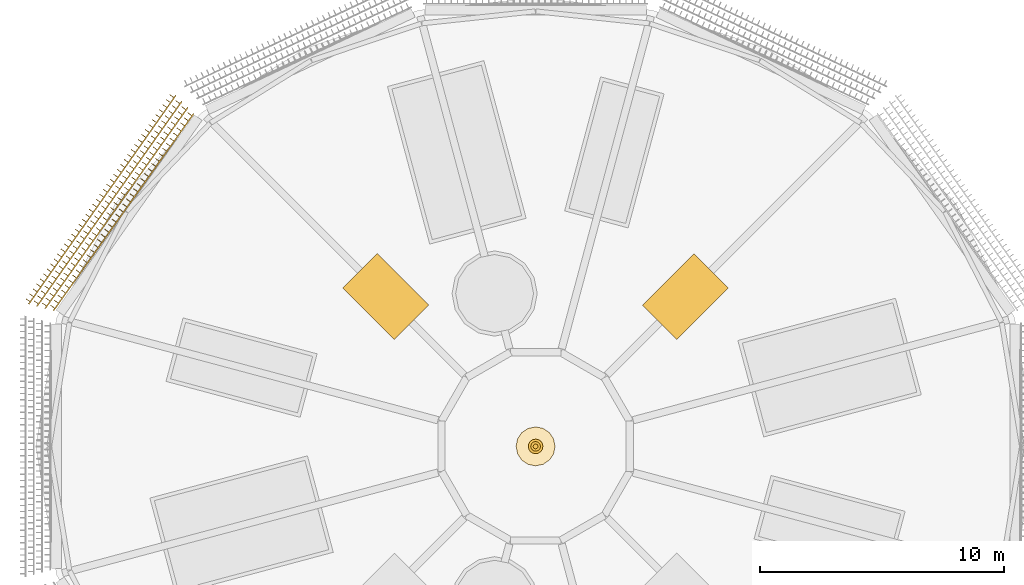
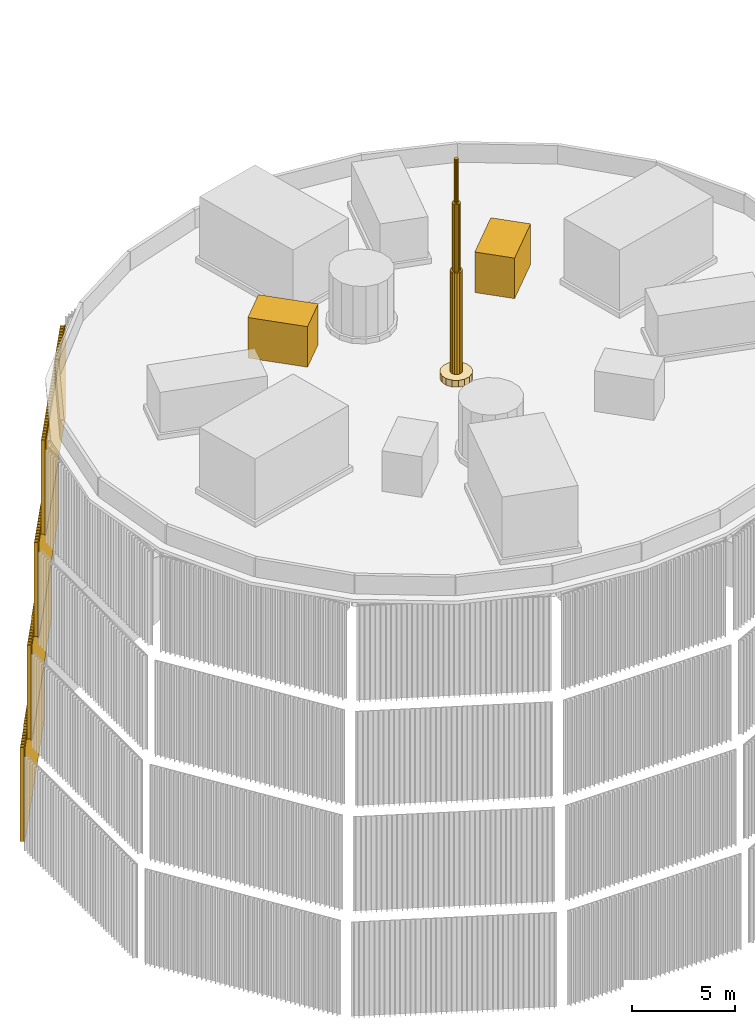
# One storey, part 7 of 24: 10 coverings.
"""IFC4 building model written with IfcOpenShell, lengths in metres."""

from ifc_helpers import new_model, si_unit, direction, frame, origin, place, context, subcontext, project, spatial, polyline, outline, extrude, material, type_object, element, save


model = new_model("IFC4")

# Units and contexts
model_context = context("Model", 3, precision=1e-05, world=origin(), true_north=direction((0.0, 1.0)))
body_context = subcontext(model_context, "Body", "Model", "MODEL_VIEW")
ifc_project = project(units=[si_unit("LENGTHUNIT", "METRE"), si_unit("AREAUNIT", "SQUARE_METRE"), si_unit("VOLUMEUNIT", "CUBIC_METRE"), si_unit("PLANEANGLEUNIT", "RADIAN"), si_unit("MASSUNIT", "GRAM", prefix="KILO")], contexts=[model_context])

# Site, building, storey
site_placement = place(None, origin())
site = spatial("IfcSite", under=ifc_project, at=site_placement, CompositionType="ELEMENT")
building_placement = place(site_placement, origin())
building = spatial("IfcBuilding", under=site, at=building_placement, Name="Rimbun Link Towers", CompositionType="ELEMENT")
storey_placement = place(building_placement, frame((0.0, 0.0, 294.89990234375)))
storey = spatial("IfcBuildingStorey", under=building, at=storey_placement, Name="Roof cap", CompositionType="ELEMENT", Elevation=294.89990234375)

# Coverings
ifc_material_1 = material(Name="Aluminium 6063-T6", Category="aluminium")
covering_type_1 = type_object("IfcCoveringType", Name="ROOF PLANT louvred enclosure 3000X2000X2400", PredefinedType="CLADDING", material=ifc_material_1)
covering_1_placement = place(storey_placement, frame((0.0, 0.0, 0.7001953125)))
element("IfcCovering", 1, at=covering_1_placement, inside=storey, type_object=covering_type_1, Name="ROOF PLANT louvred enclosure", PredefinedType="CLADDING", context=body_context, shape_type="SweptSolid", body=[
    extrude(outline(polyline([(-25.95068359375, 4.385009765625), (-23.829345703125, 6.50634765625), (-25.24365234375, 7.920654296875), (-27.364990234375, 5.79931640625), (-25.95068359375, 4.385009765625)])), origin(), (0.0, 0.0, 1.0), 2.39990234375),
])
covering_2_placement = place(storey_placement, frame((0.0, 0.0, 0.7001953125)))
element("IfcCovering", 2, at=covering_2_placement, inside=storey, type_object=covering_type_1, Name="ROOF PLANT louvred enclosure", PredefinedType="CLADDING", context=body_context, shape_type="SweptSolid", body=[
    extrude(outline(polyline([(-36.135009765625, 5.79931640625), (-38.25634765625, 7.920654296875), (-39.670654296875, 6.50634765625), (-37.54931640625, 4.385009765625), (-36.135009765625, 5.79931640625)])), origin(), (0.0, 0.0, 1.0), 2.39990234375),
])
ifc_material_2 = material(Name="Galvanised steel", Category="steel")
covering_type_2 = type_object("IfcCoveringType", Name="TELECOM MAST base ring 1600X400", PredefinedType="CLADDING", material=ifc_material_2)
covering_3_placement = place(storey_placement, frame((0.0, 0.0, 0.7001953125)))
element("IfcCovering", 3, at=covering_3_placement, inside=storey, type_object=covering_type_2, Name="TELECOM MAST base ring", PredefinedType="CLADDING", context=body_context, shape_type="SweptSolid", body=[
    extrude(outline(polyline([(-30.949951171875, 0.0), (-31.010986328125, 0.30615234375), (-31.184326171875, 0.565673828125), (-31.44384765625, 0.739013671875), (-31.75, 0.800048828125), (-32.05615234375, 0.739013671875), (-32.315673828125, 0.565673828125), (-32.489013671875, 0.30615234375), (-32.550048828125, 0.0), (-32.489013671875, -0.30615234375), (-32.315673828125, -0.565673828125), (-32.05615234375, -0.739013671875), (-31.75, -0.800048828125), (-31.44384765625, -0.739013671875), (-31.184326171875, -0.565673828125), (-31.010986328125, -0.30615234375), (-30.949951171875, 0.0)])), origin(), (0.0, 0.0, 1.0), 0.39990234375),
])
ifc_material_3 = material(Name="Galvanised steel", Category="steel")
covering_type_3 = type_object("IfcCoveringType", Name="TELECOM MAST tube 200X2600", PredefinedType="CLADDING", material=ifc_material_3)
covering_4_placement = place(storey_placement, frame((0.0, 0.0, 11.10009765625)))
element("IfcCovering", 4, at=covering_4_placement, inside=storey, type_object=covering_type_3, Name="TELECOM MAST tube", PredefinedType="CLADDING", context=body_context, shape_type="SweptSolid", body=[
    extrude(outline(polyline([(-31.64990234375, 0.0), (-31.65771484375, 0.038330078125), (-31.67919921875, 0.07080078125), (-31.711669921875, 0.09228515625), (-31.75, 0.10009765625), (-31.788330078125, 0.09228515625), (-31.82080078125, 0.07080078125), (-31.84228515625, 0.038330078125), (-31.85009765625, 0.0), (-31.84228515625, -0.038330078125), (-31.82080078125, -0.07080078125), (-31.788330078125, -0.09228515625), (-31.75, -0.10009765625), (-31.711669921875, -0.09228515625), (-31.67919921875, -0.07080078125), (-31.65771484375, -0.038330078125), (-31.64990234375, 0.0)])), origin(), (0.0, 0.0, 1.0), 2.60009765625),
])
ifc_material_4 = material(Name="Galvanised steel", Category="steel")
covering_type_4 = type_object("IfcCoveringType", Name="TELECOM MAST tube 400X4000", PredefinedType="CLADDING", material=ifc_material_4)
covering_5_placement = place(storey_placement, frame((0.0, 0.0, 7.10009765625)))
element("IfcCovering", 5, at=covering_5_placement, inside=storey, type_object=covering_type_4, Name="TELECOM MAST tube", PredefinedType="CLADDING", context=body_context, shape_type="SweptSolid", body=[
    extrude(outline(polyline([(-31.550048828125, 0.0), (-31.565185546875, 0.076416015625), (-31.608642578125, 0.141357421875), (-31.673583984375, 0.184814453125), (-31.75, 0.199951171875), (-31.826416015625, 0.184814453125), (-31.891357421875, 0.141357421875), (-31.934814453125, 0.076416015625), (-31.949951171875, 0.0), (-31.934814453125, -0.076416015625), (-31.891357421875, -0.141357421875), (-31.826416015625, -0.184814453125), (-31.75, -0.199951171875), (-31.673583984375, -0.184814453125), (-31.608642578125, -0.141357421875), (-31.565185546875, -0.076416015625), (-31.550048828125, 0.0)])), origin(), (0.0, 0.0, 1.0), 4.0),
])
ifc_material_5 = material(Name="Galvanised steel", Category="steel")
covering_type_5 = type_object("IfcCoveringType", Name="TELECOM MAST tube 600X6000", PredefinedType="CLADDING", material=ifc_material_5)
covering_6_placement = place(storey_placement, frame((0.0, 0.0, 1.10009765625)))
element("IfcCovering", 6, at=covering_6_placement, inside=storey, type_object=covering_type_5, Name="TELECOM MAST tube", PredefinedType="CLADDING", context=body_context, shape_type="SweptSolid", body=[
    extrude(outline(polyline([(-31.449951171875, 0.0), (-31.472900390625, 0.11474609375), (-31.537841796875, 0.212158203125), (-31.63525390625, 0.277099609375), (-31.75, 0.300048828125), (-31.86474609375, 0.277099609375), (-31.962158203125, 0.212158203125), (-32.027099609375, 0.11474609375), (-32.050048828125, 0.0), (-32.027099609375, -0.11474609375), (-31.962158203125, -0.212158203125), (-31.86474609375, -0.277099609375), (-31.75, -0.300048828125), (-31.63525390625, -0.277099609375), (-31.537841796875, -0.212158203125), (-31.472900390625, -0.11474609375), (-31.449951171875, 0.0)])), origin(), (0.0, 0.0, 1.0), 6.0),
])
ifc_material_6 = material(Name="Terracotta", Category="masonry")
covering_type_6 = type_object("IfcCoveringType", Name="TERRACOTTA CLADDING screen fins", PredefinedType="CLADDING", material=ifc_material_6)
covering_7_placement = place(storey_placement, frame((0.0, 0.0, -23.087890625)))
element("IfcCovering", 7, at=covering_7_placement, inside=storey, type_object=covering_type_6, Name="TERRACOTTA CLADDING screen", PredefinedType="CLADDING", context=body_context, shape_type="SweptSolid", body=[
    extrude(outline(polyline([(-46.542724609375, 14.43359375), (-46.606201171875, 14.34375), (-46.769775390625, 14.458984375), (-46.787109375, 14.434326171875), (-46.62353515625, 14.319091796875), (-46.750244140625, 14.139404296875), (-46.913818359375, 14.25439453125), (-46.93115234375, 14.22998046875), (-46.767578125, 14.11474609375), (-46.894287109375, 13.934814453125), (-47.057861328125, 14.050048828125), (-47.0751953125, 14.025390625), (-46.91162109375, 13.910400390625), (-47.038330078125, 13.73046875), (-47.201904296875, 13.845703125), (-47.21923828125, 13.821044921875), (-47.0556640625, 13.705810546875), (-47.1826171875, 13.52587890625), (-47.345947265625, 13.64111328125), (-47.36328125, 13.61669921875), (-47.19970703125, 13.50146484375), (-47.32666015625, 13.321533203125), (-47.489990234375, 13.436767578125), (-47.50732421875, 13.412353515625), (-47.34375, 13.297119140625), (-47.470703125, 13.1171875), (-47.634033203125, 13.232421875), (-47.6513671875, 13.2080078125), (-47.48779296875, 13.092529296875), (-47.61474609375, 12.91259765625), (-47.7783203125, 13.028076171875), (-47.79541015625, 13.00341796875), (-47.632080078125, 12.88818359375), (-47.7587890625, 12.708251953125), (-47.922119140625, 12.823486328125), (-47.939453125, 12.799072265625), (-47.77587890625, 12.683837890625), (-47.90283203125, 12.50390625), (-48.06640625, 12.619140625), (-48.08349609375, 12.594482421875), (-47.920166015625, 12.4794921875), (-48.046875, 12.299560546875), (-48.21044921875, 12.414794921875), (-48.227783203125, 12.39013671875), (-48.064208984375, 12.27490234375), (-48.19091796875, 12.09521484375), (-48.3544921875, 12.210205078125), (-48.37158203125, 12.185791015625), (-48.208251953125, 12.070556640625), (-48.3349609375, 11.890625), (-48.49853515625, 12.005859375), (-48.515869140625, 11.981201171875), (-48.352294921875, 11.8662109375), (-48.47900390625, 11.686279296875), (-48.642578125, 11.801513671875), (-48.659912109375, 11.77685546875), (-48.496337890625, 11.66162109375), (-48.623291015625, 11.481689453125), (-48.78662109375, 11.596923828125), (-48.803955078125, 11.572509765625), (-48.640380859375, 11.457275390625), (-48.76708984375, 11.27734375), (-48.9306640625, 11.392578125), (-48.947998046875, 11.3681640625), (-48.784423828125, 11.2529296875), (-48.911376953125, 11.072998046875), (-49.07470703125, 11.188232421875), (-49.092041015625, 11.163818359375), (-48.9287109375, 11.048583984375), (-49.055419921875, 10.86865234375), (-49.218994140625, 10.98388671875), (-49.236083984375, 10.959228515625), (-49.07275390625, 10.843994140625), (-49.199462890625, 10.6640625), (-49.36279296875, 10.779296875), (-49.380126953125, 10.7548828125), (-49.216796875, 10.6396484375), (-49.343505859375, 10.459716796875), (-49.507080078125, 10.574951171875), (-49.5244140625, 10.55029296875), (-49.36083984375, 10.435302734375), (-49.487548828125, 10.25537109375), (-49.651123046875, 10.37060546875), (-49.668212890625, 10.345947265625), (-49.5048828125, 10.230712890625), (-49.631591796875, 10.05078125), (-49.795166015625, 10.166015625), (-49.8125, 10.1416015625), (-49.64892578125, 10.0263671875), (-49.775634765625, 9.846435546875), (-49.939208984375, 9.961669921875), (-49.95654296875, 9.937255859375), (-49.79296875, 9.822021484375), (-49.919921875, 9.64208984375), (-50.083251953125, 9.75732421875), (-50.1005859375, 9.732666015625), (-49.93701171875, 9.617431640625), (-50.063720703125, 9.4375), (-50.227294921875, 9.552734375), (-50.24462890625, 9.5283203125), (-50.0810546875, 9.4130859375), (-50.2080078125, 9.233154296875), (-50.371337890625, 9.348388671875), (-50.388671875, 9.323974609375), (-50.22509765625, 9.208740234375), (-50.35205078125, 9.02880859375), (-50.515380859375, 9.14404296875), (-50.53271484375, 9.119384765625), (-50.369384765625, 9.00439453125), (-50.49609375, 8.824462890625), (-50.659423828125, 8.939697265625), (-50.6767578125, 8.9150390625), (-50.51318359375, 8.7998046875), (-50.64013671875, 8.619873046875), (-50.8037109375, 8.735107421875), (-50.82080078125, 8.710693359375), (-50.657470703125, 8.595458984375), (-50.7841796875, 8.41552734375), (-50.94775390625, 8.53076171875), (-50.96484375, 8.506103515625), (-50.801513671875, 8.39111328125), (-50.92822265625, 8.211181640625), (-51.091796875, 8.326416015625), (-51.10888671875, 8.3017578125), (-50.945556640625, 8.1865234375), (-51.072265625, 8.006591796875), (-51.23583984375, 8.121826171875), (-51.253173828125, 8.097412109375), (-51.089599609375, 7.982177734375), (-51.21630859375, 7.80224609375), (-51.3798828125, 7.91748046875), (-51.397216796875, 7.89306640625), (-51.233642578125, 7.77783203125), (-51.3603515625, 7.597900390625), (-51.52392578125, 7.713134765625), (-51.541259765625, 7.6884765625), (-51.377685546875, 7.5732421875), (-51.50439453125, 7.393310546875), (-51.66796875, 7.508544921875), (-51.685302734375, 7.484130859375), (-51.521728515625, 7.368896484375), (-51.648681640625, 7.18896484375), (-51.81201171875, 7.30419921875), (-51.829345703125, 7.27978515625), (-51.666015625, 7.16455078125), (-51.792724609375, 6.984619140625), (-51.9560546875, 7.099853515625), (-51.973388671875, 7.0751953125), (-51.809814453125, 6.960205078125), (-51.936767578125, 6.7802734375), (-52.10009765625, 6.8955078125), (-52.117431640625, 6.870849609375), (-51.9541015625, 6.755615234375), (-52.080810546875, 6.57568359375), (-52.244384765625, 6.69091796875), (-52.261474609375, 6.66650390625), (-52.09814453125, 6.55126953125), (-52.224853515625, 6.371337890625), (-52.38818359375, 6.486572265625), (-52.405517578125, 6.4619140625), (-52.2421875, 6.3466796875), (-52.368896484375, 6.1669921875), (-52.532470703125, 6.281982421875), (-52.5498046875, 6.257568359375), (-52.38623046875, 6.142333984375), (-52.512939453125, 5.96240234375), (-52.676513671875, 6.07763671875), (-52.693603515625, 6.05322265625), (-52.5302734375, 5.93798828125), (-52.59375, 5.847900390625), (-52.542236328125, 5.834228515625), (-46.507080078125, 14.397705078125), (-46.542724609375, 14.43359375)])), origin(), (0.0, 0.0, 1.0), 5.575927734375),
])
covering_8_placement = place(storey_placement, frame((0.0, 0.0, -17.087890625)))
element("IfcCovering", 8, at=covering_8_placement, inside=storey, type_object=covering_type_6, Name="TERRACOTTA CLADDING screen", PredefinedType="CLADDING", context=body_context, shape_type="SweptSolid", body=[
    extrude(outline(polyline([(-46.29541015625, 14.18603515625), (-46.359375, 14.095703125), (-46.522705078125, 14.2109375), (-46.5400390625, 14.1865234375), (-46.376708984375, 14.071044921875), (-46.504638671875, 13.889892578125), (-46.66796875, 14.005615234375), (-46.685302734375, 13.98095703125), (-46.52197265625, 13.865478515625), (-46.650146484375, 13.684326171875), (-46.8134765625, 13.7998046875), (-46.830810546875, 13.775390625), (-46.66748046875, 13.659912109375), (-46.79541015625, 13.478759765625), (-46.958740234375, 13.59423828125), (-46.97607421875, 13.56982421875), (-46.812744140625, 13.454345703125), (-46.94091796875, 13.273193359375), (-47.10400390625, 13.388671875), (-47.12158203125, 13.3642578125), (-46.958251953125, 13.248779296875), (-47.086181640625, 13.067626953125), (-47.24951171875, 13.18310546875), (-47.266845703125, 13.15869140625), (-47.103515625, 13.043212890625), (-47.231689453125, 12.862060546875), (-47.39501953125, 12.9775390625), (-47.412109375, 12.953125), (-47.248779296875, 12.837646484375), (-47.376953125, 12.656494140625), (-47.540283203125, 12.77197265625), (-47.5576171875, 12.74755859375), (-47.394287109375, 12.632080078125), (-47.522216796875, 12.450927734375), (-47.685546875, 12.56640625), (-47.702880859375, 12.5419921875), (-47.539794921875, 12.426513671875), (-47.667724609375, 12.245361328125), (-47.8310546875, 12.36083984375), (-47.848388671875, 12.33642578125), (-47.68505859375, 12.220947265625), (-47.81298828125, 12.039794921875), (-47.976318359375, 12.1552734375), (-47.99365234375, 12.130859375), (-47.830322265625, 12.015380859375), (-47.95849609375, 11.834228515625), (-48.121826171875, 11.94970703125), (-48.13916015625, 11.92529296875), (-47.975830078125, 11.809814453125), (-48.103759765625, 11.628662109375), (-48.26708984375, 11.744140625), (-48.284423828125, 11.719482421875), (-48.12109375, 11.604248046875), (-48.249267578125, 11.423095703125), (-48.41259765625, 11.53857421875), (-48.4296875, 11.513916015625), (-48.2666015625, 11.398681640625), (-48.39453125, 11.217529296875), (-48.557861328125, 11.3330078125), (-48.5751953125, 11.30859375), (-48.411865234375, 11.193115234375), (-48.5400390625, 11.011962890625), (-48.703369140625, 11.12744140625), (-48.720703125, 11.102783203125), (-48.557373046875, 10.9873046875), (-48.685302734375, 10.806396484375), (-48.8486328125, 10.921875), (-48.865966796875, 10.897216796875), (-48.70263671875, 10.78173828125), (-48.830810546875, 10.600830078125), (-48.993896484375, 10.71630859375), (-49.01123046875, 10.691650390625), (-48.847900390625, 10.576416015625), (-48.97607421875, 10.395263671875), (-49.139404296875, 10.5107421875), (-49.15673828125, 10.486083984375), (-48.993408203125, 10.37060546875), (-49.12158203125, 10.189697265625), (-49.28466796875, 10.30517578125), (-49.302001953125, 10.280517578125), (-49.138916015625, 10.1650390625), (-49.266845703125, 9.98388671875), (-49.43017578125, 10.099609375), (-49.447509765625, 10.074951171875), (-49.2841796875, 9.95947265625), (-49.412109375, 9.7783203125), (-49.575439453125, 9.893798828125), (-49.5927734375, 9.869384765625), (-49.429443359375, 9.75390625), (-49.5576171875, 9.572998046875), (-49.720947265625, 9.688232421875), (-49.73828125, 9.663818359375), (-49.574951171875, 9.54833984375), (-49.702880859375, 9.3671875), (-49.8662109375, 9.48291015625), (-49.883544921875, 9.458251953125), (-49.72021484375, 9.3427734375), (-49.848388671875, 9.16162109375), (-50.01171875, 9.277099609375), (-50.02880859375, 9.252685546875), (-49.865478515625, 9.13720703125), (-49.99365234375, 8.9560546875), (-50.156982421875, 9.071533203125), (-50.17431640625, 9.047119140625), (-50.010986328125, 8.931640625), (-50.13916015625, 8.75048828125), (-50.302490234375, 8.865966796875), (-50.319580078125, 8.841552734375), (-50.156494140625, 8.72607421875), (-50.284423828125, 8.544921875), (-50.44775390625, 8.660400390625), (-50.465087890625, 8.635986328125), (-50.3017578125, 8.5205078125), (-50.4296875, 8.33935546875), (-50.593017578125, 8.454833984375), (-50.6103515625, 8.430419921875), (-50.447021484375, 8.31494140625), (-50.5751953125, 8.1337890625), (-50.738525390625, 8.249267578125), (-50.755859375, 8.224853515625), (-50.592529296875, 8.109375), (-50.720703125, 7.92822265625), (-50.8837890625, 8.043701171875), (-50.901123046875, 8.019287109375), (-50.73779296875, 7.90380859375), (-50.865966796875, 7.72265625), (-51.029296875, 7.838134765625), (-51.046630859375, 7.813720703125), (-50.88330078125, 7.6982421875), (-51.01123046875, 7.51708984375), (-51.174560546875, 7.632568359375), (-51.19189453125, 7.608154296875), (-51.028564453125, 7.49267578125), (-51.15673828125, 7.3115234375), (-51.320068359375, 7.427001953125), (-51.33740234375, 7.402587890625), (-51.174072265625, 7.287109375), (-51.302001953125, 7.10595703125), (-51.46533203125, 7.221435546875), (-51.482666015625, 7.197021484375), (-51.3193359375, 7.081298828125), (-51.447509765625, 6.900390625), (-51.610595703125, 7.015869140625), (-51.6279296875, 6.9912109375), (-51.464599609375, 6.8759765625), (-51.5927734375, 6.69482421875), (-51.756103515625, 6.810302734375), (-51.7734375, 6.785888671875), (-51.610107421875, 6.67041015625), (-51.73828125, 6.4892578125), (-51.901611328125, 6.604736328125), (-51.918701171875, 6.580078125), (-51.755615234375, 6.464599609375), (-51.883544921875, 6.28369140625), (-52.046875, 6.399169921875), (-52.064208984375, 6.37451171875), (-51.90087890625, 6.259033203125), (-52.02880859375, 6.078125), (-52.192138671875, 6.193603515625), (-52.20947265625, 6.1689453125), (-52.046142578125, 6.0537109375), (-52.17431640625, 5.87255859375), (-52.337646484375, 5.988037109375), (-52.35498046875, 5.96337890625), (-52.191650390625, 5.847900390625), (-52.255615234375, 5.75732421875), (-52.2041015625, 5.74365234375), (-46.259521484375, 14.150146484375), (-46.29541015625, 14.18603515625)])), origin(), (0.0, 0.0, 1.0), 5.575927734375),
])
covering_9_placement = place(storey_placement, frame((0.0, 0.0, -11.087890625)))
element("IfcCovering", 9, at=covering_9_placement, inside=storey, type_object=covering_type_6, Name="TERRACOTTA CLADDING screen", PredefinedType="CLADDING", context=body_context, shape_type="SweptSolid", body=[
    extrude(outline(polyline([(-46.0478515625, 13.938720703125), (-46.112548828125, 13.847412109375), (-46.275634765625, 13.963134765625), (-46.29296875, 13.938720703125), (-46.1298828125, 13.822998046875), (-46.25927734375, 13.640625), (-46.42236328125, 13.75634765625), (-46.439697265625, 13.73193359375), (-46.276611328125, 13.6162109375), (-46.406005859375, 13.433837890625), (-46.569091796875, 13.549560546875), (-46.58642578125, 13.525146484375), (-46.42333984375, 13.409423828125), (-46.552734375, 13.22705078125), (-46.7158203125, 13.3427734375), (-46.733154296875, 13.318359375), (-46.570068359375, 13.20263671875), (-46.699462890625, 13.020263671875), (-46.862548828125, 13.135986328125), (-46.8798828125, 13.111572265625), (-46.716796875, 12.995849609375), (-46.84619140625, 12.8134765625), (-47.00927734375, 12.92919921875), (-47.026611328125, 12.90478515625), (-46.863525390625, 12.7890625), (-46.992919921875, 12.606689453125), (-47.156005859375, 12.722412109375), (-47.17333984375, 12.697998046875), (-47.01025390625, 12.582275390625), (-47.1396484375, 12.39990234375), (-47.302734375, 12.515625), (-47.3203125, 12.4912109375), (-47.156982421875, 12.37548828125), (-47.28662109375, 12.193115234375), (-47.44970703125, 12.308837890625), (-47.466796875, 12.284423828125), (-47.3037109375, 12.168701171875), (-47.43310546875, 11.986328125), (-47.59619140625, 12.10205078125), (-47.61376953125, 12.07763671875), (-47.45068359375, 11.9619140625), (-47.580078125, 11.779541015625), (-47.7431640625, 11.895263671875), (-47.760498046875, 11.870849609375), (-47.597412109375, 11.7548828125), (-47.726806640625, 11.57275390625), (-47.889892578125, 11.6884765625), (-47.9072265625, 11.6640625), (-47.744140625, 11.548095703125), (-47.87353515625, 11.365966796875), (-48.03662109375, 11.481689453125), (-48.053955078125, 11.457275390625), (-47.890869140625, 11.34130859375), (-48.020263671875, 11.1591796875), (-48.183349609375, 11.27490234375), (-48.20068359375, 11.25048828125), (-48.03759765625, 11.134765625), (-48.1669921875, 10.952392578125), (-48.330078125, 11.068115234375), (-48.347412109375, 11.043701171875), (-48.184326171875, 10.927978515625), (-48.313720703125, 10.74560546875), (-48.476806640625, 10.861328125), (-48.494140625, 10.8369140625), (-48.3310546875, 10.72119140625), (-48.46044921875, 10.538818359375), (-48.62353515625, 10.654541015625), (-48.640869140625, 10.6298828125), (-48.477783203125, 10.514404296875), (-48.607177734375, 10.331787109375), (-48.770263671875, 10.44775390625), (-48.78759765625, 10.423095703125), (-48.62451171875, 10.3076171875), (-48.75390625, 10.125244140625), (-48.9169921875, 10.240966796875), (-48.934326171875, 10.21630859375), (-48.771240234375, 10.1005859375), (-48.900634765625, 9.91845703125), (-49.063720703125, 10.0341796875), (-49.0810546875, 10.009521484375), (-48.91796875, 9.893798828125), (-49.04736328125, 9.711669921875), (-49.21044921875, 9.827392578125), (-49.227783203125, 9.802734375), (-49.064697265625, 9.68701171875), (-49.194091796875, 9.5048828125), (-49.357421875, 9.62060546875), (-49.37451171875, 9.595947265625), (-49.21142578125, 9.480224609375), (-49.3408203125, 9.298095703125), (-49.50390625, 9.413818359375), (-49.521484375, 9.389404296875), (-49.3583984375, 9.2734375), (-49.487548828125, 9.09130859375), (-49.65087890625, 9.206787109375), (-49.668212890625, 9.1826171875), (-49.5048828125, 9.066650390625), (-49.634521484375, 8.884521484375), (-49.797607421875, 9.0), (-49.81494140625, 8.9755859375), (-49.65185546875, 8.85986328125), (-49.781005859375, 8.677490234375), (-49.944091796875, 8.793212890625), (-49.961669921875, 8.768798828125), (-49.798583984375, 8.653076171875), (-49.927978515625, 8.470703125), (-50.091064453125, 8.58642578125), (-50.1083984375, 8.56201171875), (-49.9453125, 8.4462890625), (-50.07470703125, 8.263916015625), (-50.23779296875, 8.379638671875), (-50.255126953125, 8.355224609375), (-50.092041015625, 8.239501953125), (-50.221435546875, 8.05712890625), (-50.384521484375, 8.173095703125), (-50.40185546875, 8.1484375), (-50.23876953125, 8.03271484375), (-50.3681640625, 7.850341796875), (-50.53125, 7.96630859375), (-50.548583984375, 7.941650390625), (-50.385498046875, 7.825927734375), (-50.514892578125, 7.6435546875), (-50.677978515625, 7.759521484375), (-50.6953125, 7.73486328125), (-50.5322265625, 7.619140625), (-50.66162109375, 7.436767578125), (-50.82470703125, 7.552490234375), (-50.842041015625, 7.528076171875), (-50.678955078125, 7.412353515625), (-50.808349609375, 7.22998046875), (-50.971435546875, 7.345703125), (-50.98876953125, 7.3212890625), (-50.82568359375, 7.20556640625), (-50.955078125, 7.023193359375), (-51.1181640625, 7.138916015625), (-51.135498046875, 7.114501953125), (-50.972412109375, 6.998779296875), (-51.101806640625, 6.81640625), (-51.264892578125, 6.93212890625), (-51.2822265625, 6.90771484375), (-51.119140625, 6.7919921875), (-51.24853515625, 6.609619140625), (-51.41162109375, 6.725341796875), (-51.42919921875, 6.700927734375), (-51.26611328125, 6.585205078125), (-51.395263671875, 6.40283203125), (-51.558349609375, 6.5185546875), (-51.57568359375, 6.494140625), (-51.41259765625, 6.37841796875), (-51.5419921875, 6.196044921875), (-51.705078125, 6.311767578125), (-51.722412109375, 6.287353515625), (-51.559326171875, 6.171630859375), (-51.688720703125, 5.9892578125), (-51.851806640625, 6.10498046875), (-51.869384765625, 6.08056640625), (-51.706298828125, 5.96484375), (-51.835693359375, 5.782470703125), (-51.998779296875, 5.898193359375), (-52.01611328125, 5.873779296875), (-51.852783203125, 5.758056640625), (-51.91748046875, 5.666748046875), (-51.8662109375, 5.653076171875), (-46.011962890625, 13.902587890625), (-46.0478515625, 13.938720703125)])), origin(), (0.0, 0.0, 1.0), 5.575927734375),
])
covering_10_placement = place(storey_placement, frame((0.0, 0.0, -5.087890625)))
element("IfcCovering", 10, at=covering_10_placement, inside=storey, type_object=covering_type_6, Name="TERRACOTTA CLADDING screen", PredefinedType="CLADDING", context=body_context, shape_type="SweptSolid", body=[
    extrude(outline(polyline([(-45.80029296875, 13.691162109375), (-45.86572265625, 13.599365234375), (-46.02880859375, 13.71533203125), (-46.046142578125, 13.69091796875), (-45.88330078125, 13.574951171875), (-46.013916015625, 13.391357421875), (-46.1767578125, 13.50732421875), (-46.194091796875, 13.48291015625), (-46.03125, 13.36669921875), (-46.162109375, 13.18310546875), (-46.324951171875, 13.29931640625), (-46.34228515625, 13.27490234375), (-46.179443359375, 13.15869140625), (-46.310302734375, 12.97509765625), (-46.47314453125, 13.091064453125), (-46.490478515625, 13.066650390625), (-46.32763671875, 12.95068359375), (-46.45849609375, 12.76708984375), (-46.621337890625, 12.883056640625), (-46.638916015625, 12.858642578125), (-46.475830078125, 12.74267578125), (-46.606689453125, 12.55908203125), (-46.76953125, 12.675048828125), (-46.787109375, 12.650390625), (-46.6240234375, 12.534423828125), (-46.7548828125, 12.350830078125), (-46.917724609375, 12.466796875), (-46.935302734375, 12.4423828125), (-46.772216796875, 12.326416015625), (-46.903076171875, 12.142822265625), (-47.06591796875, 12.2587890625), (-47.08349609375, 12.234375), (-46.92041015625, 12.118408203125), (-47.05126953125, 11.934814453125), (-47.214111328125, 12.05078125), (-47.2314453125, 12.0263671875), (-47.068603515625, 11.910400390625), (-47.199462890625, 11.726806640625), (-47.3623046875, 11.8427734375), (-47.379638671875, 11.818115234375), (-47.216796875, 11.7021484375), (-47.34765625, 11.5185546875), (-47.510498046875, 11.634521484375), (-47.52783203125, 11.610107421875), (-47.364990234375, 11.494140625), (-47.495849609375, 11.310546875), (-47.65869140625, 11.426513671875), (-47.676025390625, 11.402099609375), (-47.51318359375, 11.2861328125), (-47.64404296875, 11.102294921875), (-47.806884765625, 11.218505859375), (-47.82421875, 11.194091796875), (-47.661376953125, 11.077880859375), (-47.7919921875, 10.894287109375), (-47.955078125, 11.010498046875), (-47.972412109375, 10.98583984375), (-47.8095703125, 10.869873046875), (-47.940185546875, 10.686279296875), (-48.103271484375, 10.80224609375), (-48.12060546875, 10.77783203125), (-47.957763671875, 10.661865234375), (-48.08837890625, 10.478271484375), (-48.25146484375, 10.59423828125), (-48.268798828125, 10.56982421875), (-48.10595703125, 10.453857421875), (-48.23681640625, 10.27001953125), (-48.399658203125, 10.38623046875), (-48.4169921875, 10.36181640625), (-48.254150390625, 10.24560546875), (-48.385009765625, 10.06201171875), (-48.5478515625, 10.177978515625), (-48.565185546875, 10.15380859375), (-48.40234375, 10.03759765625), (-48.533203125, 9.85400390625), (-48.696044921875, 9.969970703125), (-48.71337890625, 9.945556640625), (-48.550537109375, 9.82958984375), (-48.681396484375, 9.64599609375), (-48.84423828125, 9.761962890625), (-48.861572265625, 9.737548828125), (-48.69873046875, 9.62158203125), (-48.829345703125, 9.437744140625), (-48.9921875, 9.553955078125), (-49.009765625, 9.529296875), (-48.8466796875, 9.413330078125), (-48.9775390625, 9.229736328125), (-49.140380859375, 9.345703125), (-49.157958984375, 9.3212890625), (-48.9951171875, 9.205322265625), (-49.125732421875, 9.021728515625), (-49.288818359375, 9.1376953125), (-49.30615234375, 9.11328125), (-49.143310546875, 8.997314453125), (-49.27392578125, 8.813720703125), (-49.43701171875, 8.9296875), (-49.454345703125, 8.9052734375), (-49.29150390625, 8.789306640625), (-49.422119140625, 8.60546875), (-49.585205078125, 8.7216796875), (-49.6025390625, 8.697021484375), (-49.439697265625, 8.5810546875), (-49.5703125, 8.3974609375), (-49.7333984375, 8.513427734375), (-49.750732421875, 8.489013671875), (-49.587890625, 8.373046875), (-49.718505859375, 8.189453125), (-49.881591796875, 8.305419921875), (-49.89892578125, 8.281005859375), (-49.736083984375, 8.1650390625), (-49.86669921875, 7.981201171875), (-50.029541015625, 8.097412109375), (-50.047119140625, 8.072998046875), (-49.884033203125, 7.956787109375), (-50.014892578125, 7.773193359375), (-50.177734375, 7.889404296875), (-50.1953125, 7.86474609375), (-50.0322265625, 7.748779296875), (-50.1630859375, 7.565185546875), (-50.325927734375, 7.68115234375), (-50.343505859375, 7.65673828125), (-50.180419921875, 7.540771484375), (-50.311279296875, 7.357177734375), (-50.47412109375, 7.47314453125), (-50.49169921875, 7.44873046875), (-50.32861328125, 7.332763671875), (-50.45947265625, 7.14892578125), (-50.622314453125, 7.26513671875), (-50.639892578125, 7.240478515625), (-50.476806640625, 7.12451171875), (-50.607666015625, 6.94091796875), (-50.7705078125, 7.056884765625), (-50.7880859375, 7.032470703125), (-50.625, 6.91650390625), (-50.755859375, 6.73291015625), (-50.918701171875, 6.848876953125), (-50.936279296875, 6.824462890625), (-50.773193359375, 6.70849609375), (-50.904052734375, 6.52490234375), (-51.06689453125, 6.640869140625), (-51.084228515625, 6.616455078125), (-50.92138671875, 6.50048828125), (-51.05224609375, 6.316650390625), (-51.215087890625, 6.432861328125), (-51.232421875, 6.408203125), (-51.069580078125, 6.292236328125), (-51.200439453125, 6.108642578125), (-51.36328125, 6.224609375), (-51.380615234375, 6.2001953125), (-51.2177734375, 6.084228515625), (-51.3486328125, 5.900634765625), (-51.511474609375, 6.0166015625), (-51.52880859375, 5.9921875), (-51.365966796875, 5.876220703125), (-51.496826171875, 5.6923828125), (-51.65966796875, 5.80859375), (-51.677001953125, 5.7841796875), (-51.51416015625, 5.668212890625), (-51.57958984375, 5.576416015625), (-51.528076171875, 5.5625), (-45.764404296875, 13.6552734375), (-45.80029296875, 13.691162109375)])), origin(), (0.0, 0.0, 1.0), 5.575927734375),
])

save(model, "model.ifc")
